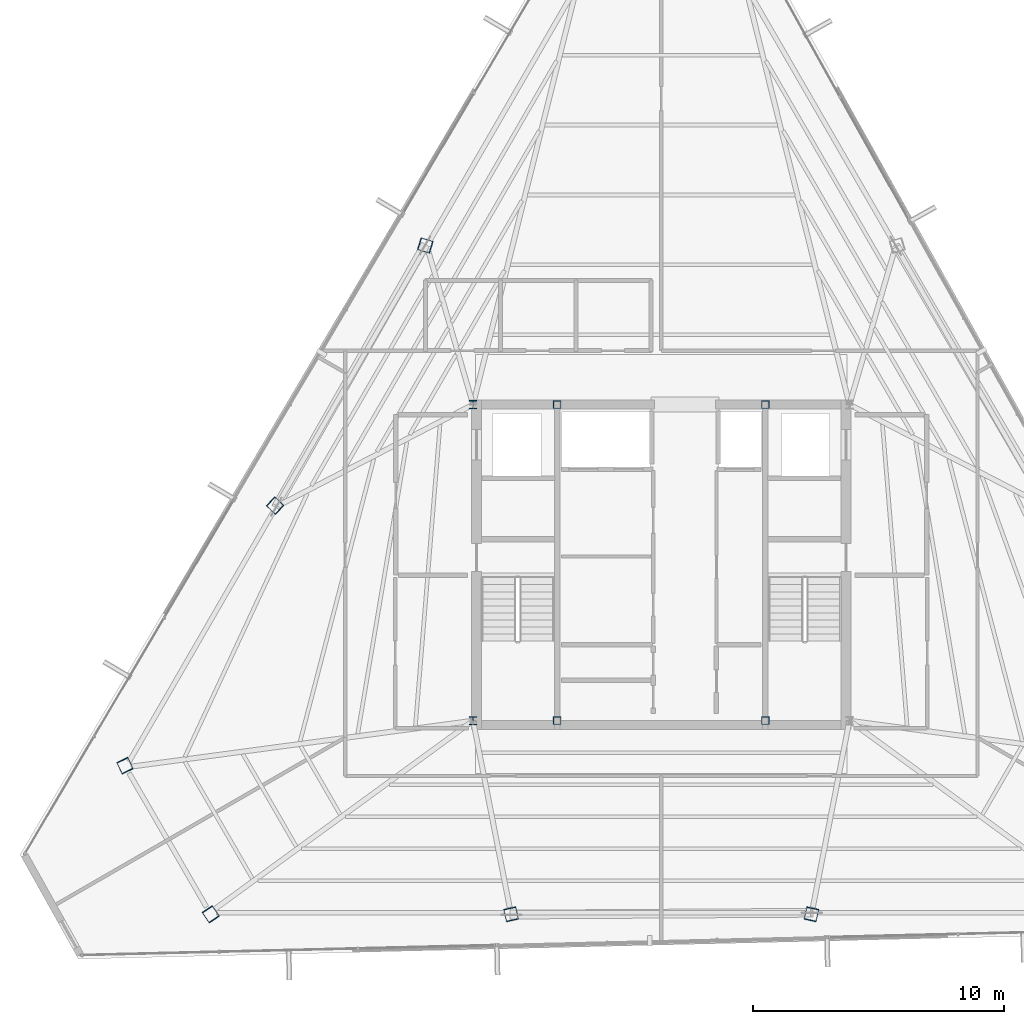
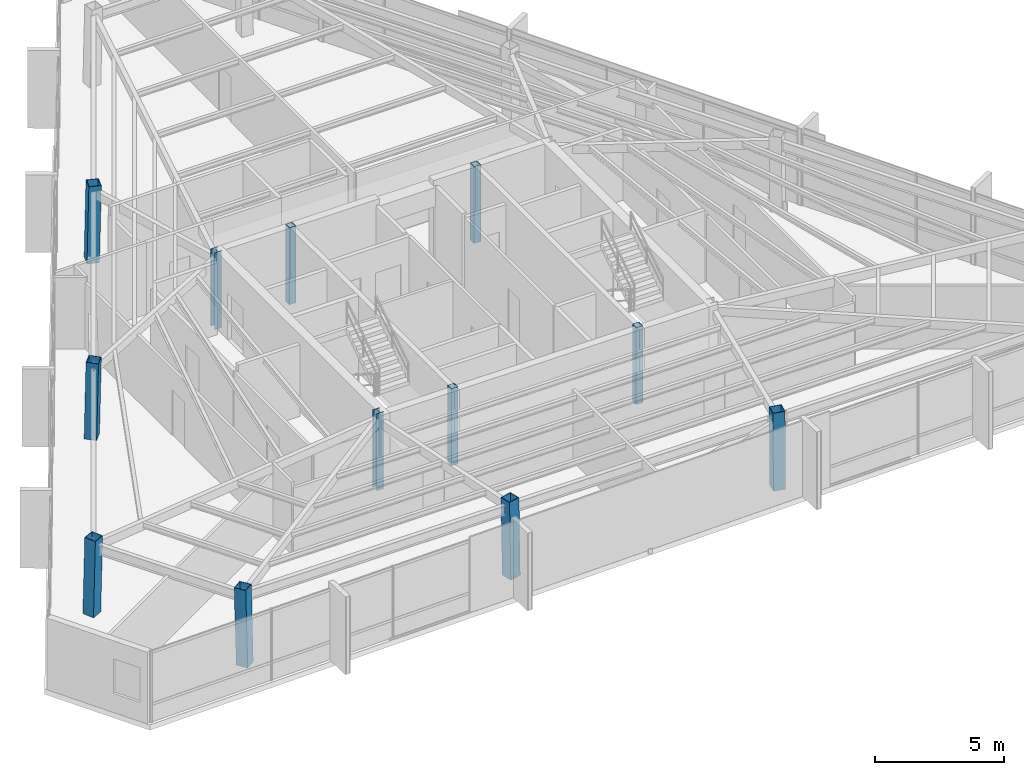
# One storey, part 1 of 45: 12 columns.
"""IFC4 building model written with IfcOpenShell, lengths in metres."""

from ifc_helpers import new_model, si_unit, direction, frame, origin, origin_2d, place, context, subcontext, project, spatial, hollow_rectangle, i_section, extrude, source, transform, mapped, material, material_profile, profile_set, type_object, type_shapes, element, save


model = new_model("IFC4")

# Units and contexts
model_context = context("Model", 3, precision=1e-05, world=origin(), true_north=direction((0.0, 1.0)))
body_context = subcontext(model_context, "Body", "Model", "MODEL_VIEW")
ifc_project = project(units=[si_unit("LENGTHUNIT", "METRE"), si_unit("AREAUNIT", "SQUARE_METRE"), si_unit("VOLUMEUNIT", "CUBIC_METRE"), si_unit("PLANEANGLEUNIT", "RADIAN"), si_unit("MASSUNIT", "GRAM", prefix="KILO")], contexts=[model_context])

# Site, building, storey
site_placement = place(None, origin())
site = spatial("IfcSite", under=ifc_project, at=site_placement, CompositionType="ELEMENT")
building_placement = place(site_placement, origin())
building = spatial("IfcBuilding", under=site, at=building_placement, Name="Caelisora Broadcast Tower", CompositionType="ELEMENT")
storey_placement = place(building_placement, frame((0.0, 0.0, 273.64990234375)))
storey = spatial("IfcBuildingStorey", under=building, at=storey_placement, Name="L72", CompositionType="ELEMENT", Elevation=273.64990234375)

# Columns
ifc_material_1 = material(Name="Steel Grade 350 (AS/NZS 3679.1)", Category="steel")
ifc_material_profile_1 = material_profile(ifc_material_1, i_section(OverallWidth=0.31103515625, OverallDepth=0.3271484375, WebThickness=0.015625, FlangeThickness=0.02490234375, at=origin_2d()), Name="Steel Grade 350 (AS/NZS 3679.1)")
ifc_profile_set_1 = profile_set([ifc_material_profile_1], Name="Steel Grade 350 (AS/NZS 3679.1)")
column_type_1 = type_object("IfcColumnType", Name="CC03", PredefinedType="COLUMN", material=ifc_profile_set_1)
shared_shape_1 = source(origin(), body_context, "Body", "SweptSolid", [
    extrude(i_section(OverallWidth=0.31103515625, OverallDepth=0.3271484375, WebThickness=0.015625, FlangeThickness=0.02490234375, at=origin_2d()), origin(), (0.0, 0.0, 1.0), 3.650146484375),
])
type_shapes(column_type_1, [shared_shape_1])
for number, where, z_axis, x_axis, name in (
    (1, (30.5, 17.39990234375, 0.0), (0.0, 0.0, 1.0), (1.0, 0.0, 0.0), "L72 column CC03"),
    (2, (30.5, 30.0, 0.0), (0.0, 0.0, 1.0), (1.0, 0.0, 0.0), "L72 column CC03"),
):
    element("IfcColumn", number, at=place(storey_placement, frame(where, z_axis=z_axis, x_axis=x_axis)), inside=storey, type_object=column_type_1, Name=name, PredefinedType="COLUMN", context=body_context, shape_type="MappedRepresentation", body=[
        mapped(shared_shape_1, transform((0.0, 0.0, 0.0), scale=1.0)),
    ])
ifc_material_2 = material(Name="Steel Grade 350 (AS/NZS 1163 C350L0)", Category="steel")
ifc_material_profile_2 = material_profile(ifc_material_2, hollow_rectangle(XDim=0.300048828125, YDim=0.300048828125, WallThickness=0.012451171875, at=origin_2d()), Name="Steel Grade 350 (AS/NZS 1163 C350L0)")
ifc_profile_set_2 = profile_set([ifc_material_profile_2], Name="Steel Grade 350 (AS/NZS 1163 C350L0)")
column_type_2 = type_object("IfcColumnType", Name="CC08", PredefinedType="COLUMN", material=ifc_profile_set_2)
shared_shape_2 = source(origin(), body_context, "Body", "SweptSolid", [
    extrude(hollow_rectangle(XDim=0.300048828125, YDim=0.300048828125, WallThickness=0.012451171875, at=origin_2d()), origin(), (0.0, 0.0, 1.0), 3.650146484375),
])
type_shapes(column_type_2, [shared_shape_2])
for number, where, z_axis, x_axis, name in (
    (3, (33.85009765625, 17.39990234375, 0.0), (0.0, 0.0, 1.0), (1.0, 0.0, 0.0), "L72 column CC08"),
    (4, (42.14990234375, 17.39990234375, 0.0), (0.0, 0.0, 1.0), (1.0, 0.0, 0.0), "L72 column CC08"),
    (5, (33.85009765625, 30.0, 0.0), (0.0, 0.0, 1.0), (1.0, 0.0, 0.0), "L72 column CC08"),
    (6, (42.14990234375, 30.0, 0.0), (0.0, 0.0, 1.0), (1.0, 0.0, 0.0), "L72 column CC08"),
):
    element("IfcColumn", number, at=place(storey_placement, frame(where, z_axis=z_axis, x_axis=x_axis)), inside=storey, type_object=column_type_2, Name=name, PredefinedType="COLUMN", context=body_context, shape_type="MappedRepresentation", body=[
        mapped(shared_shape_2, transform((0.0, 0.0, 0.0), scale=1.0)),
    ])
ifc_material_3 = material(Name="Steel Grade 350 L15 (AS/NZS 3678)", Category="steel")
ifc_material_profile_3 = material_profile(ifc_material_3, hollow_rectangle(XDim=0.5, YDim=0.5, WallThickness=0.02001953125, at=origin_2d()), Name="Steel Grade 350 L15 (AS/NZS 3678)")
ifc_profile_set_3 = profile_set([ifc_material_profile_3], Name="Steel Grade 350 L15 (AS/NZS 3678)")
column_type_3 = type_object("IfcColumnType", Name="MC07", PredefinedType="COLUMN", material=ifc_profile_set_3)
shared_shape_3 = source(origin(), body_context, "Body", "SweptSolid", [
    extrude(hollow_rectangle(XDim=0.5, YDim=0.5, WallThickness=0.02001953125, at=origin_2d()), origin(), (0.0, 0.0, 1.0), 3.651123046875),
])
for number, where, z_axis, x_axis, name in (
    (7, (16.619873046875, 15.621337890625, 0.0), (0.010431083049, -0.021597691184, 0.999712324742), (0.900476348161, 0.434904985489, 0.0), "L72 column MC07"),
    (8, (20.0537109375, 9.673583984375, 0.0), (-0.013440068782, 0.019792340097, 0.999713772949), (-0.827290216258, -0.561774775229, 0.0), "L72 column MC07"),
):
    element("IfcColumn", number, at=place(storey_placement, frame(where, z_axis=z_axis, x_axis=x_axis)), inside=storey, type_object=column_type_3, Name=name, PredefinedType="COLUMN", context=body_context, shape_type="MappedRepresentation", body=[
        mapped(shared_shape_3, transform((0.0, 0.0, 0.0), scale=1.0)),
    ])
shared_shape_4 = source(origin(), body_context, "Body", "SweptSolid", [
    extrude(hollow_rectangle(XDim=0.5, YDim=0.5, WallThickness=0.02001953125, at=origin_2d()), origin(), (0.0, 0.0, 1.0), 3.65087890625),
])
type_shapes(column_type_3, [shared_shape_3, shared_shape_4])
for number, where, z_axis, x_axis, name in (
    (9, (28.583984375, 36.34375, 0.0), (0.019392704612, -0.005951554174, 0.999794229835), (0.293390827749, 0.9559925848, 0.0), "L72 column MC07"),
    (10, (22.60205078125, 25.982666015625, 0.0), (0.014912302561, -0.01384236157, 0.999792984702), (0.680325028146, 0.732910537568, 0.0), "L72 column MC07"),
    (11, (32.017822265625, 9.673583984375, 0.0), (-0.004413512568, 0.019793935152, 0.999794339371), (-0.976031638482, -0.217628676148, 0.0), "L72 column MC07"),
    (12, (43.982177734375, 9.673583984375, 0.0), (0.004413512568, 0.019793935152, 0.999794339371), (-0.976031638482, 0.217628676148, 0.0), "L72 column MC07"),
):
    element("IfcColumn", number, at=place(storey_placement, frame(where, z_axis=z_axis, x_axis=x_axis)), inside=storey, type_object=column_type_3, Name=name, PredefinedType="COLUMN", context=body_context, shape_type="MappedRepresentation", body=[
        mapped(shared_shape_4, transform((0.0, 0.0, 0.0), scale=1.0)),
    ])

save(model, "model.ifc")
